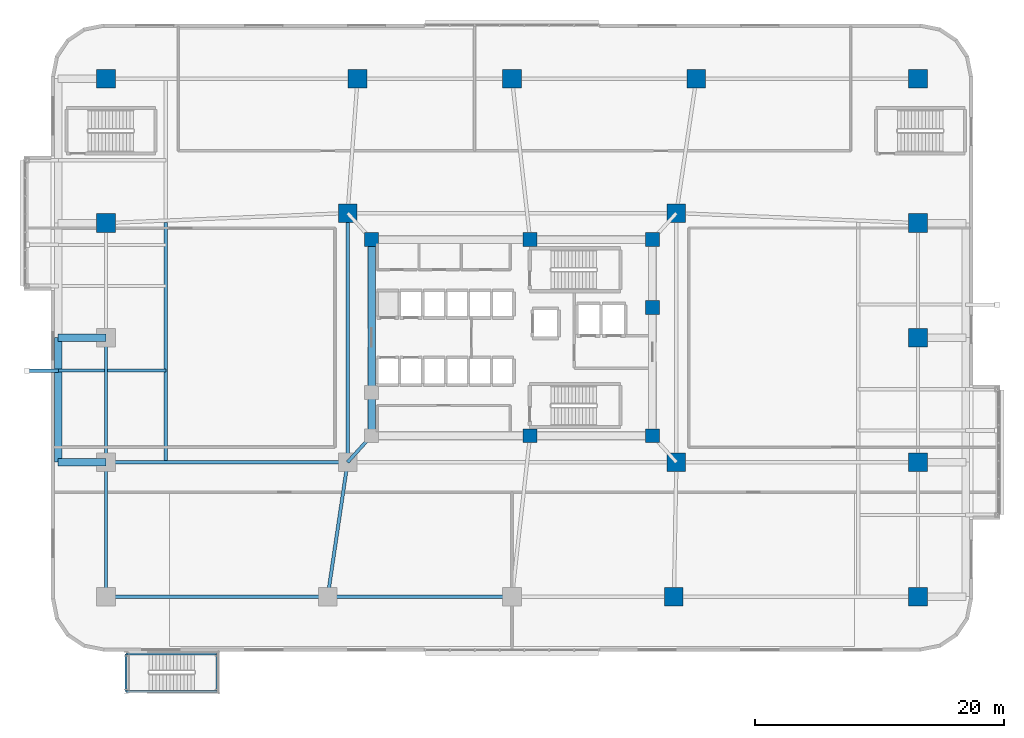
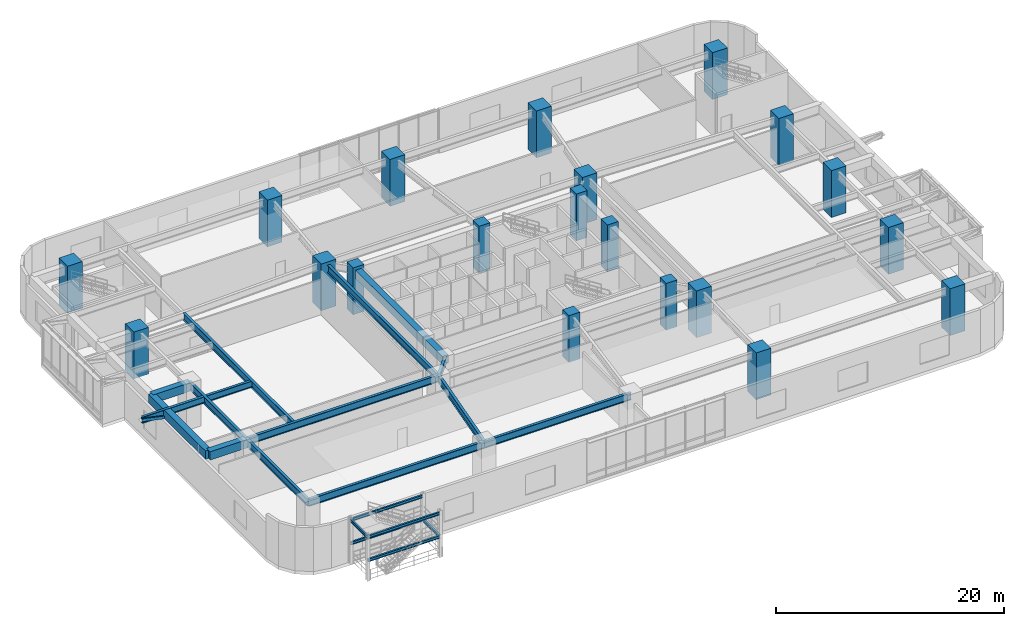
# One storey, part 2 of 23: 21 beams, 20 columns, 1 member.
"""IFC4 building model written with IfcOpenShell, lengths in metres."""

from ifc_helpers import new_model, si_unit, direction, frame, origin, origin_2d, place, context, subcontext, project, spatial, rectangle, hollow_rectangle, i_section, extrude, material, material_profile, profile_set, type_object, element, save


model = new_model("IFC4")

# Units and contexts
model_context = context("Model", 3, precision=1e-05, world=origin(), true_north=direction((0.0, 1.0)))
body_context = subcontext(model_context, "Body", "Model", "MODEL_VIEW")
ifc_project = project(units=[si_unit("LENGTHUNIT", "METRE"), si_unit("AREAUNIT", "SQUARE_METRE"), si_unit("VOLUMEUNIT", "CUBIC_METRE"), si_unit("PLANEANGLEUNIT", "RADIAN"), si_unit("MASSUNIT", "GRAM", prefix="KILO")], contexts=[model_context])

# Site, building, storey
site_placement = place(None, origin())
site = spatial("IfcSite", under=ifc_project, at=site_placement, CompositionType="ELEMENT")
building_placement = place(site_placement, origin())
building = spatial("IfcBuilding", under=site, at=building_placement, Name="Zulverin Broadcast Headquarters", CompositionType="ELEMENT")
storey_placement = place(building_placement, frame((0.0, 0.0, 10.0)))
storey = spatial("IfcBuildingStorey", under=building, at=storey_placement, Name="L02", CompositionType="ELEMENT", Elevation=10.0)

# Columns
ifc_material_1 = material(Name="Concrete C60/75", Category="concrete")
ifc_material_profile_1 = material_profile(ifc_material_1, rectangle(XDim=1.5, YDim=1.5, at=origin_2d()), Name="Concrete C60/75", Category="concrete")
ifc_profile_set_1 = profile_set([ifc_material_profile_1], Name="Concrete C60/75")
column_type_1 = type_object("IfcColumnType", Name="COL-RC-1500", PredefinedType="COLUMN", material=ifc_profile_set_1)
for number, where, z_axis, x_axis, name in (
    (1, (50.0, 4.39990234375, 0.0), (0.0, 0.0, 1.0), (1.0, 0.0, 0.0), "L02 Podium Mega Column P04"),
    (2, (69.60009765625, 4.39990234375, 0.0), (0.0, 0.0, 1.0), (1.0, 0.0, 0.0), "L02 Podium Mega Column P05"),
    (3, (4.39990234375, 46.0, 0.0), (0.0, 0.0, 1.0), (1.0, 0.0, 0.0), "L02 Podium Mega Column P06"),
    (4, (24.60009765625, 46.0, 0.0), (0.0, 0.0, 1.0), (1.0, 0.0, 0.0), "L02 Podium Mega Column P07"),
    (5, (37.0, 46.0, 0.0), (0.0, 0.0, 1.0), (1.0, 0.0, 0.0), "L02 Podium Mega Column P08"),
    (6, (51.800048828125, 46.0, 0.0), (0.0, 0.0, 1.0), (1.0, 0.0, 0.0), "L02 Podium Mega Column P09"),
    (7, (69.60009765625, 46.0, 0.0), (0.0, 0.0, 1.0), (1.0, 0.0, 0.0), "L02 Podium Mega Column P10"),
    (8, (4.39990234375, 34.39990234375, 0.0), (0.0, 0.0, 1.0), (1.0, 0.0, 0.0), "L02 Podium Mega Column P13"),
    (9, (69.60009765625, 15.199951171875, 0.0), (0.0, 0.0, 1.0), (1.0, 0.0, 0.0), "L02 Podium Mega Column P14"),
    (10, (69.60009765625, 25.199951171875, 0.0), (0.0, 0.0, 1.0), (1.0, 0.0, 0.0), "L02 Podium Mega Column P15"),
    (11, (69.60009765625, 34.39990234375, 0.0), (0.0, 0.0, 1.0), (1.0, 0.0, 0.0), "L02 Podium Mega Column P16"),
    (12, (50.199951171875, 15.199951171875, 0.0), (0.0, 0.0, 1.0), (1.0, 0.0, 0.0), "L02 Podium Mega Column M02"),
    (13, (50.199951171875, 35.199951171875, 0.0), (0.0, 0.0, 1.0), (1.0, 0.0, 0.0), "L02 Podium Mega Column M03"),
    (14, (23.800048828125, 35.199951171875, 0.0), (0.0, 0.0, 1.0), (1.0, 0.0, 0.0), "L02 Podium Mega Column M04"),
):
    element("IfcColumn", number, at=place(storey_placement, frame(where, z_axis=z_axis, x_axis=x_axis)), inside=storey, type_object=column_type_1, Name=name, PredefinedType="COLUMN", context=body_context, shape_type="SweptSolid", body=[
        extrude(rectangle(XDim=1.5, YDim=1.5, at=origin_2d()), origin(), (0.0, 0.0, 1.0), 5.0),
    ])
ifc_material_profile_2 = material_profile(ifc_material_1, rectangle(XDim=1.10009765625, YDim=1.10009765625, at=origin_2d()), Name="Concrete C60/75", Category="concrete")
ifc_profile_set_2 = profile_set([ifc_material_profile_2], Name="Concrete C60/75")
column_type_2 = type_object("IfcColumnType", Name="PIL-RC-1100", PredefinedType="PILASTER", material=ifc_profile_set_2)
for number, where, z_axis, x_axis, name in (
    (15, (38.449951171875, 17.324951171875, 0.0), (0.0, 0.0, 1.0), (1.0, 0.0, 0.0), "L02 Core Pilaster K02"),
    (16, (48.27490234375, 17.324951171875, 0.0), (0.0, 0.0, 1.0), (1.0, 0.0, 0.0), "L02 Core Pilaster K03"),
    (17, (48.27490234375, 27.6201171875, 0.0), (0.0, 0.0, 1.0), (1.0, 0.0, 0.0), "L02 Core Pilaster K04"),
    (18, (48.27490234375, 33.074951171875, 0.0), (0.0, 0.0, 1.0), (1.0, 0.0, 0.0), "L02 Core Pilaster K05"),
    (19, (38.449951171875, 33.074951171875, 0.0), (0.0, 0.0, 1.0), (1.0, 0.0, 0.0), "L02 Core Pilaster K06"),
    (20, (25.72509765625, 33.074951171875, 0.0), (0.0, 0.0, 1.0), (1.0, 0.0, 0.0), "L02 Core Pilaster K07"),
):
    element("IfcColumn", number, at=place(storey_placement, frame(where, z_axis=z_axis, x_axis=x_axis)), inside=storey, type_object=column_type_2, Name=name, PredefinedType="PILASTER", context=body_context, shape_type="SweptSolid", body=[
        extrude(rectangle(XDim=1.10009765625, YDim=1.10009765625, at=origin_2d()), origin(), (0.0, 0.0, 1.0), 5.0),
    ])

# Beams
ifc_material_profile_3 = material_profile(ifc_material_1, rectangle(XDim=0.60009765625, YDim=0.89990234375, at=origin_2d()), Name="Concrete C60/75", Category="concrete")
ifc_profile_set_3 = profile_set([ifc_material_profile_3], Name="Concrete C60/75")
beam_type_1 = type_object("IfcBeamType", Name="BM-CB-600x900", PredefinedType="LINTEL", material=ifc_profile_set_3)
beam_1_placement = place(storey_placement, frame((25.72509765625, 33.074951171875, 4.22998046875), z_axis=(0.0, -1.0, 0.0), x_axis=(1.0, 0.0, 0.0)))
element("IfcBeam", 21, at=beam_1_placement, inside=storey, type_object=beam_type_1, Name="L02 Core Coupling Girder K07-K08", PredefinedType="LINTEL", context=body_context, shape_type="SweptSolid", body=[
    extrude(rectangle(XDim=0.60009765625, YDim=0.89990234375, at=origin_2d()), origin(), (0.0, 0.0, 1.0), 12.27490234375),
])
beam_2_placement = place(storey_placement, frame((25.72509765625, 20.800048828125, 4.22998046875), z_axis=(0.0, -1.0, 0.0), x_axis=(1.0, 0.0, 0.0)))
element("IfcBeam", 22, at=beam_2_placement, inside=storey, type_object=beam_type_1, Name="L02 Core Coupling Girder K08-K01", PredefinedType="LINTEL", context=body_context, shape_type="SweptSolid", body=[
    extrude(rectangle(XDim=0.60009765625, YDim=0.89990234375, at=origin_2d()), origin(), (0.0, 0.0, 1.0), 3.47509765625),
])
ifc_material_2 = material(Name="Concrete C40/50", Category="concrete")
ifc_material_profile_4 = material_profile(ifc_material_2, rectangle(XDim=0.60009765625, YDim=0.89990234375, at=origin_2d()), Name="Concrete C40/50", Category="concrete")
ifc_profile_set_4 = profile_set([ifc_material_profile_4], Name="Concrete C40/50")
beam_type_2 = type_object("IfcBeamType", Name="BM-RC-600x900", PredefinedType="BEAM", material=ifc_profile_set_4)
for number, where, z_axis, x_axis, name in (
    (23, (4.39990234375, 15.199951171875, 4.22998046875), (-1.0, 0.0, 0.0), (0.0, -1.0, 0.0), "L02 West Perimeter Bracket Girder WBR-1"),
    (24, (4.39990234375, 25.199951171875, 4.22998046875), (-1.0, 0.0, 0.0), (0.0, -1.0, 0.0), "L02 West Perimeter Bracket Girder WBR-2"),
):
    element("IfcBeam", number, at=place(storey_placement, frame(where, z_axis=z_axis, x_axis=x_axis)), inside=storey, type_object=beam_type_2, Name=name, PredefinedType="BEAM", context=body_context, shape_type="SweptSolid", body=[
        extrude(rectangle(XDim=0.60009765625, YDim=0.89990234375, at=origin_2d()), origin(), (0.0, 0.0, 1.0), 3.849853515625),
    ])
beam_3_placement = place(storey_placement, frame((0.550048828125, 15.199951171875, 4.22998046875), z_axis=(0.0, 1.0, 0.0), x_axis=(-1.0, 0.0, 0.0)))
element("IfcBeam", 25, at=beam_3_placement, inside=storey, type_object=beam_type_2, Name="L02 West Edge Spandrel Girder WEG-1", PredefinedType="BEAM", context=body_context, shape_type="SweptSolid", body=[
    extrude(rectangle(XDim=0.60009765625, YDim=0.89990234375, at=origin_2d()), origin(), (0.0, 0.0, 1.0), 10.0),
])
ifc_material_3 = material(Name="Structural steel S355JR", Category="steel")
ifc_material_profile_5 = material_profile(ifc_material_3, i_section(OverallWidth=0.1669921875, OverallDepth=0.310302734375, WebThickness=0.0078125, FlangeThickness=0.013671875, at=origin_2d()), Name="Structural steel S355JR", Category="steel")
ifc_profile_set_5 = profile_set([ifc_material_profile_5], Name="Structural steel S355JR")
beam_type_3 = type_object("IfcBeamType", Name="BM-UB-305", PredefinedType="SPANDREL", material=ifc_profile_set_5)
beam_4_placement = place(storey_placement, frame((13.320068359375, -3.199951171875, 2.144775390625), z_axis=(0.0, 1.0, 0.0), x_axis=(-1.0, 0.0, 0.0)))
element("IfcBeam", 26, at=beam_4_placement, inside=storey, type_object=beam_type_3, Name="L02 Garden Stair Half-Landing Beam E", PredefinedType="SPANDREL", context=body_context, shape_type="SweptSolid", body=[
    extrude(i_section(OverallWidth=0.1669921875, OverallDepth=0.310302734375, WebThickness=0.0078125, FlangeThickness=0.013671875, at=origin_2d()), origin(), (0.0, 0.0, 1.0), 3.0),
])
for number, where, z_axis, x_axis, name in (
    (27, (6.02001953125, -3.199951171875, 2.144775390625), (1.0, 0.0, 0.0), (0.0, 1.0, 0.0), "L02 Garden Stair Half-Landing Stringer S"),
    (28, (6.02001953125, -0.199951171875, 2.144775390625), (1.0, 0.0, 0.0), (0.0, 1.0, 0.0), "L02 Garden Stair Half-Landing Stringer N"),
):
    element("IfcBeam", number, at=place(storey_placement, frame(where, z_axis=z_axis, x_axis=x_axis)), inside=storey, type_object=beam_type_3, Name=name, PredefinedType="SPANDREL", context=body_context, shape_type="SweptSolid", body=[
        extrude(i_section(OverallWidth=0.1669921875, OverallDepth=0.310302734375, WebThickness=0.0078125, FlangeThickness=0.013671875, at=origin_2d()), origin(), (0.0, 0.0, 1.0), 7.300048828125),
    ])
beam_5_placement = place(storey_placement, frame((6.02001953125, -3.199951171875, 4.644775390625), z_axis=(0.0, 1.0, 0.0), x_axis=(-1.0, 0.0, 0.0)))
element("IfcBeam", 29, at=beam_5_placement, inside=storey, type_object=beam_type_3, Name="L02 Garden Stair Floor-Landing Beam W", PredefinedType="SPANDREL", context=body_context, shape_type="SweptSolid", body=[
    extrude(i_section(OverallWidth=0.1669921875, OverallDepth=0.310302734375, WebThickness=0.0078125, FlangeThickness=0.013671875, at=origin_2d()), origin(), (0.0, 0.0, 1.0), 3.0),
])
for number, where, z_axis, x_axis, name in (
    (30, (6.02001953125, -3.199951171875, 4.644775390625), (1.0, 0.0, 0.0), (0.0, 1.0, 0.0), "L02 Garden Stair Upper Stringer S"),
    (31, (6.02001953125, -0.199951171875, 4.644775390625), (1.0, 0.0, 0.0), (0.0, 1.0, 0.0), "L02 Garden Stair Upper Stringer N"),
):
    element("IfcBeam", number, at=place(storey_placement, frame(where, z_axis=z_axis, x_axis=x_axis)), inside=storey, type_object=beam_type_3, Name=name, PredefinedType="SPANDREL", context=body_context, shape_type="SweptSolid", body=[
        extrude(i_section(OverallWidth=0.1669921875, OverallDepth=0.310302734375, WebThickness=0.0078125, FlangeThickness=0.013671875, at=origin_2d()), origin(), (0.0, 0.0, 1.0), 7.300048828125),
    ])
ifc_material_profile_6 = material_profile(ifc_material_3, i_section(OverallWidth=0.255859375, OverallDepth=0.69287109375, WebThickness=0.014404296875, FlangeThickness=0.023681640625, at=origin_2d()), Name="Structural steel S355JR", Category="steel")
ifc_profile_set_6 = profile_set([ifc_material_profile_6], Name="Structural steel S355JR")
beam_type_4 = type_object("IfcBeamType", Name="BM-UB-686", PredefinedType="BEAM", material=ifc_profile_set_6)
beam_6_placement = place(storey_placement, frame((9.199951171875, 22.550048828125, 4.33349609375), z_axis=(-1.0, 0.0, 0.0), x_axis=(0.0, -1.0, 0.0)))
element("IfcBeam", 32, at=beam_6_placement, inside=storey, type_object=beam_type_4, Name="L03 Studio Box Base Cantilever Girder SBOX_POD_UPPER_W1-1", PredefinedType="BEAM", context=body_context, shape_type="SweptSolid", body=[
    extrude(i_section(OverallWidth=0.255859375, OverallDepth=0.69287109375, WebThickness=0.014404296875, FlangeThickness=0.023681640625, at=origin_2d()), origin(), (0.0, 0.0, 1.0), 11.14990234375),
])
ifc_material_profile_7 = material_profile(ifc_material_3, i_section(OverallWidth=0.26806640625, OverallDepth=0.769775390625, WebThickness=0.015625, FlangeThickness=0.025390625, at=origin_2d()), Name="Structural steel S355JR", Category="steel")
ifc_profile_set_7 = profile_set([ifc_material_profile_7], Name="Structural steel S355JR")
beam_type_5 = type_object("IfcBeamType", Name="BM-UB-762", PredefinedType="BEAM", material=ifc_profile_set_7)
beam_7_placement = place(storey_placement, frame((4.39990234375, 4.39990234375, 4.295166015625), z_axis=(1.0, 0.0, 0.0), x_axis=(0.0, 1.0, 0.0)))
element("IfcBeam", 33, at=beam_7_placement, inside=storey, type_object=beam_type_5, Name="L02 Podium Primary Girder P01-P02", PredefinedType="BEAM", context=body_context, shape_type="SweptSolid", body=[
    extrude(i_section(OverallWidth=0.26806640625, OverallDepth=0.769775390625, WebThickness=0.015625, FlangeThickness=0.025390625, at=origin_2d()), origin(), (0.0, 0.0, 1.0), 17.800048828125),
])
beam_8_placement = place(storey_placement, frame((22.199951171875, 4.39990234375, 4.295166015625), z_axis=(1.0, 0.0, 0.0), x_axis=(0.0, 1.0, 0.0)))
element("IfcBeam", 34, at=beam_8_placement, inside=storey, type_object=beam_type_5, Name="L02 Podium Primary Girder P02-P03", PredefinedType="BEAM", context=body_context, shape_type="SweptSolid", body=[
    extrude(i_section(OverallWidth=0.26806640625, OverallDepth=0.769775390625, WebThickness=0.015625, FlangeThickness=0.025390625, at=origin_2d()), origin(), (0.0, 0.0, 1.0), 14.800048828125),
])
beam_9_placement = place(storey_placement, frame((4.39990234375, 25.199951171875, 4.295166015625), z_axis=(0.0, -1.0, 0.0), x_axis=(1.0, 0.0, 0.0)))
element("IfcBeam", 35, at=beam_9_placement, inside=storey, type_object=beam_type_5, Name="L02 Podium Primary Girder P12-P11", PredefinedType="BEAM", context=body_context, shape_type="SweptSolid", body=[
    extrude(i_section(OverallWidth=0.26806640625, OverallDepth=0.769775390625, WebThickness=0.015625, FlangeThickness=0.025390625, at=origin_2d()), origin(), (0.0, 0.0, 1.0), 10.0),
])
beam_10_placement = place(storey_placement, frame((4.39990234375, 15.199951171875, 4.295166015625), z_axis=(0.0, -1.0, 0.0), x_axis=(1.0, 0.0, 0.0)))
element("IfcBeam", 36, at=beam_10_placement, inside=storey, type_object=beam_type_5, Name="L02 Podium Primary Girder P11-P01", PredefinedType="BEAM", context=body_context, shape_type="SweptSolid", body=[
    extrude(i_section(OverallWidth=0.26806640625, OverallDepth=0.769775390625, WebThickness=0.015625, FlangeThickness=0.025390625, at=origin_2d()), origin(), (0.0, 0.0, 1.0), 10.800048828125),
])
beam_11_placement = place(storey_placement, frame((23.800048828125, 15.199951171875, 4.295166015625), z_axis=(0.671379160881, 0.741114041383, 0.0), x_axis=(-0.741114041383, 0.671379160881, 0.0)))
element("IfcBeam", 37, at=beam_11_placement, inside=storey, type_object=beam_type_5, Name="L02 Podium Primary Girder M01-K01", PredefinedType="BEAM", context=body_context, shape_type="SweptSolid", body=[
    extrude(i_section(OverallWidth=0.26806640625, OverallDepth=0.769775390625, WebThickness=0.015625, FlangeThickness=0.025390625, at=origin_2d()), origin(), (0.0, 0.0, 1.0), 2.8671875),
])
beam_12_placement = place(storey_placement, frame((23.800048828125, 35.199951171875, 4.295166015625), z_axis=(0.0, -1.0, 0.0), x_axis=(1.0, 0.0, 0.0)))
element("IfcBeam", 38, at=beam_12_placement, inside=storey, type_object=beam_type_5, Name="L02 Podium Primary Girder M04-M01", PredefinedType="BEAM", context=body_context, shape_type="SweptSolid", body=[
    extrude(i_section(OverallWidth=0.26806640625, OverallDepth=0.769775390625, WebThickness=0.015625, FlangeThickness=0.025390625, at=origin_2d()), origin(), (0.0, 0.0, 1.0), 20.0),
])
beam_13_placement = place(storey_placement, frame((22.199951171875, 4.39990234375, 4.295166015625), z_axis=(0.146556765224, 0.989202261707, 0.0), x_axis=(-0.989202261707, 0.146556765224, 0.0)))
element("IfcBeam", 39, at=beam_13_placement, inside=storey, type_object=beam_type_5, Name="L02 Podium Primary Girder P02-M01", PredefinedType="BEAM", context=body_context, shape_type="SweptSolid", body=[
    extrude(i_section(OverallWidth=0.26806640625, OverallDepth=0.769775390625, WebThickness=0.015625, FlangeThickness=0.025390625, at=origin_2d()), origin(), (0.0, 0.0, 1.0), 10.91796875),
])
beam_14_placement = place(storey_placement, frame((4.39990234375, 15.199951171875, 4.295166015625), z_axis=(1.0, 0.0, 0.0), x_axis=(0.0, 1.0, 0.0)))
element("IfcBeam", 40, at=beam_14_placement, inside=storey, type_object=beam_type_5, Name="L02 West Studio South Tie Girder", PredefinedType="BEAM", context=body_context, shape_type="SweptSolid", body=[
    extrude(i_section(OverallWidth=0.26806640625, OverallDepth=0.769775390625, WebThickness=0.015625, FlangeThickness=0.025390625, at=origin_2d()), origin(), (0.0, 0.0, 1.0), 19.400146484375),
])
beam_15_placement = place(storey_placement, frame((9.199951171875, 15.333984375, 4.295166015625), z_axis=(0.0, 1.0, 0.0), x_axis=(-1.0, 0.0, 0.0)))
element("IfcBeam", 41, at=beam_15_placement, inside=storey, type_object=beam_type_5, Name="L02 West Back-Span Anchor Beam WSBA-1", PredefinedType="BEAM", context=body_context, shape_type="SweptSolid", body=[
    extrude(i_section(OverallWidth=0.26806640625, OverallDepth=0.769775390625, WebThickness=0.015625, FlangeThickness=0.025390625, at=origin_2d()), origin(), (0.0, 0.0, 1.0), 19.1298828125),
])

# Member
ifc_material_profile_8 = material_profile(ifc_material_3, hollow_rectangle(XDim=0.300048828125, YDim=0.300048828125, WallThickness=0.01611328125, at=origin_2d()), Name="Structural steel S355JR", Category="steel")
ifc_profile_set_8 = profile_set([ifc_material_profile_8], Name="Structural steel S355JR")
member_type = type_object("IfcMemberType", Name="MBR-BLT-DIAG1", PredefinedType="BRACE", material=ifc_profile_set_8)
member_placement = place(storey_placement, frame((0.550048828125, 22.550048828125, 3.830078125), z_axis=(-0.976660475394, 0.0, 0.214789002987), x_axis=(0.0, -1.0, 0.0)))
element("IfcMember", 42, at=member_placement, inside=storey, type_object=member_type, Name="L03 Studio Box Base Knee Brace SBOX_POD_UPPER_W1-1", PredefinedType="BRACE", context=body_context, shape_type="SweptSolid", body=[
    extrude(hollow_rectangle(XDim=0.300048828125, YDim=0.300048828125, WallThickness=0.01611328125, at=origin_2d()), origin(), (0.0, 0.0, 1.0), 2.559814453125),
])

save(model, "model.ifc")
